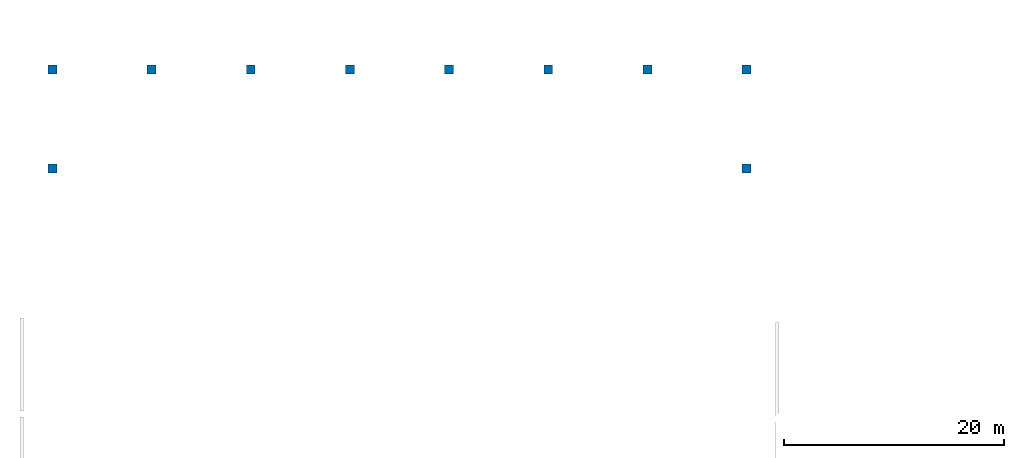
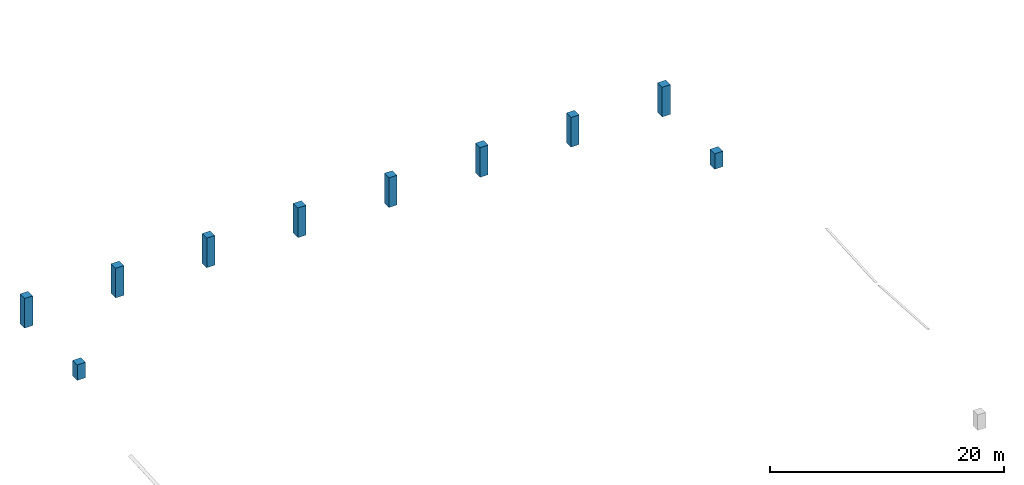
# One storey, part 7 of 85: 10 columns.
"""IFC4 building model written with IfcOpenShell, lengths in metres."""

from ifc_helpers import new_model, si_unit, direction, frame, origin, origin_2d, place, context, subcontext, project, spatial, rectangle, extrude, material, material_profile, profile_set, type_object, element, save


model = new_model("IFC4")

# Units and contexts
model_context = context("Model", 3, precision=1e-05, world=origin(), true_north=direction((0.0, 1.0)))
body_context = subcontext(model_context, "Body", "Model", "MODEL_VIEW")
ifc_project = project(units=[si_unit("LENGTHUNIT", "METRE"), si_unit("AREAUNIT", "SQUARE_METRE"), si_unit("VOLUMEUNIT", "CUBIC_METRE"), si_unit("PLANEANGLEUNIT", "RADIAN"), si_unit("MASSUNIT", "GRAM", prefix="KILO")], contexts=[model_context])

# Site, building, storey
site_placement = place(None, origin())
site = spatial("IfcSite", under=ifc_project, at=site_placement, CompositionType="ELEMENT")
building_placement = place(site_placement, origin())
building = spatial("IfcBuilding", under=site, at=building_placement, Name="Opaline Strait Convention Centre", CompositionType="ELEMENT")
storey_placement = place(building_placement, frame((0.0, 0.0, 17.0)))
storey = spatial("IfcBuildingStorey", under=building, at=storey_placement, Name="L03", CompositionType="ELEMENT", Elevation=17.0)

# Columns
ifc_material = material(Name="Concrete C40", Category="concrete")
ifc_material_profile = material_profile(ifc_material, rectangle(XDim=0.800048828125, YDim=0.800048828125, at=origin_2d()), Name="RC 800x800")
ifc_profile_set = profile_set([ifc_material_profile], Name="Concrete C40")
column_type = type_object("IfcColumnType", Name="RC column 800x800 C40", PredefinedType="COLUMN", material=ifc_profile_set)
for number, where, z_axis, x_axis, name in (
    (1, (9.0, 171.0, 0.0), (0.0, 0.0, 1.0), (1.0, 0.0, 0.0), "XC2 L02 at 2/V above L03"),
    (2, (72.0, 171.0, 0.0), (0.0, 0.0, 1.0), (1.0, 0.0, 0.0), "XC2 L02 at 9/V above L03"),
):
    element("IfcColumn", number, at=place(storey_placement, frame(where, z_axis=z_axis, x_axis=x_axis)), inside=storey, type_object=column_type, Name=name, PredefinedType="COLUMN", context=body_context, shape_type="SweptSolid", body=[
        extrude(rectangle(XDim=0.800048828125, YDim=0.800048828125, at=origin_2d()), origin(), (0.0, 0.0, 1.0), 1.611328125),
    ])
for number, where, z_axis, x_axis, name in (
    (3, (9.0, 180.0, 0.0), (0.0, 0.0, 1.0), (1.0, 0.0, 0.0), "XC2 L02 at 2/W above L03"),
    (4, (18.0, 180.0, 0.0), (0.0, 0.0, 1.0), (1.0, 0.0, 0.0), "XC2 L02 at 3/W above L03"),
    (5, (27.0, 180.0, 0.0), (0.0, 0.0, 1.0), (1.0, 0.0, 0.0), "XC2 L02 at 4/W above L03"),
    (6, (36.0, 180.0, 0.0), (0.0, 0.0, 1.0), (1.0, 0.0, 0.0), "XC2 L02 at 5/W above L03"),
    (7, (45.0, 180.0, 0.0), (0.0, 0.0, 1.0), (1.0, 0.0, 0.0), "XC2 L02 at 6/W above L03"),
    (8, (54.0, 180.0, 0.0), (0.0, 0.0, 1.0), (1.0, 0.0, 0.0), "XC2 L02 at 7/W above L03"),
    (9, (63.0, 180.0, 0.0), (0.0, 0.0, 1.0), (1.0, 0.0, 0.0), "XC2 L02 at 8/W above L03"),
    (10, (72.0, 180.0, 0.0), (0.0, 0.0, 1.0), (1.0, 0.0, 0.0), "XC2 L02 at 9/W above L03"),
):
    element("IfcColumn", number, at=place(storey_placement, frame(where, z_axis=z_axis, x_axis=x_axis)), inside=storey, type_object=column_type, Name=name, PredefinedType="COLUMN", context=body_context, shape_type="SweptSolid", body=[
        extrude(rectangle(XDim=0.800048828125, YDim=0.800048828125, at=origin_2d()), origin(), (0.0, 0.0, 1.0), 3.10009765625),
    ])

save(model, "model.ifc")
